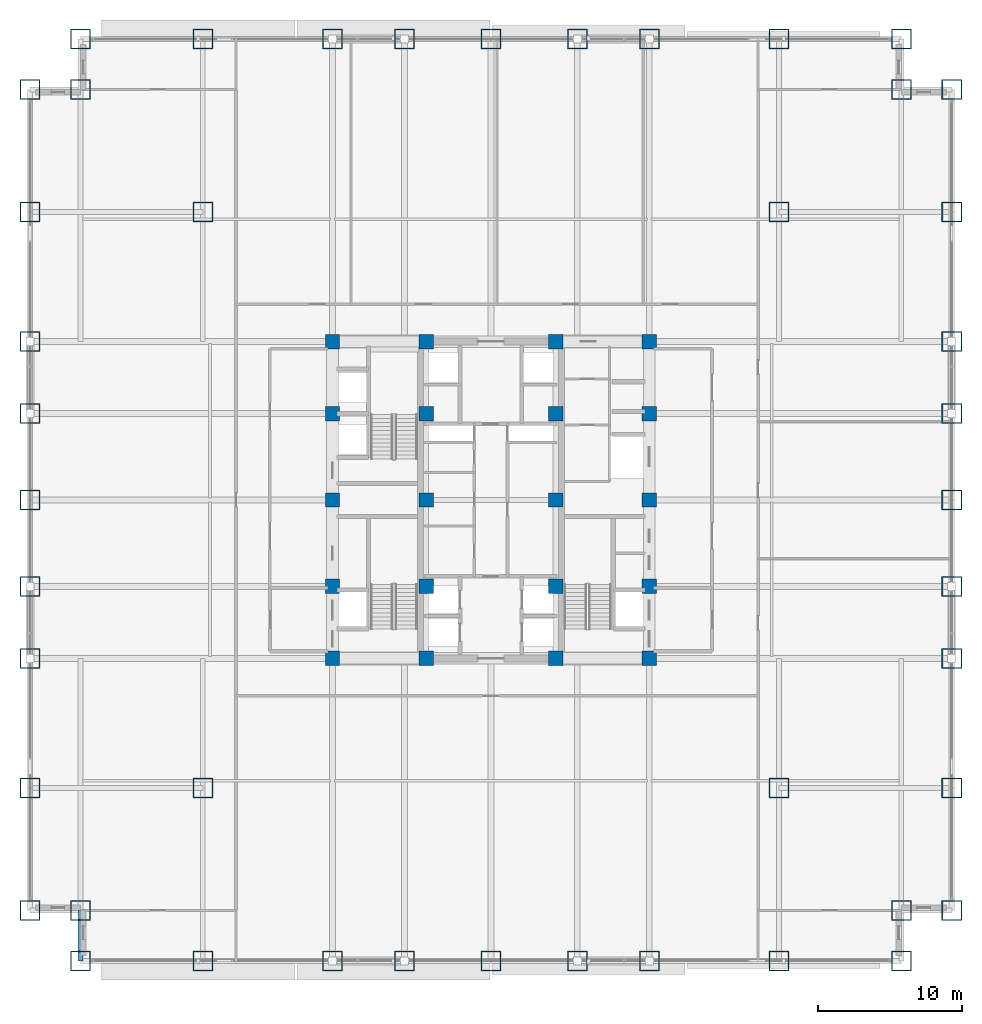
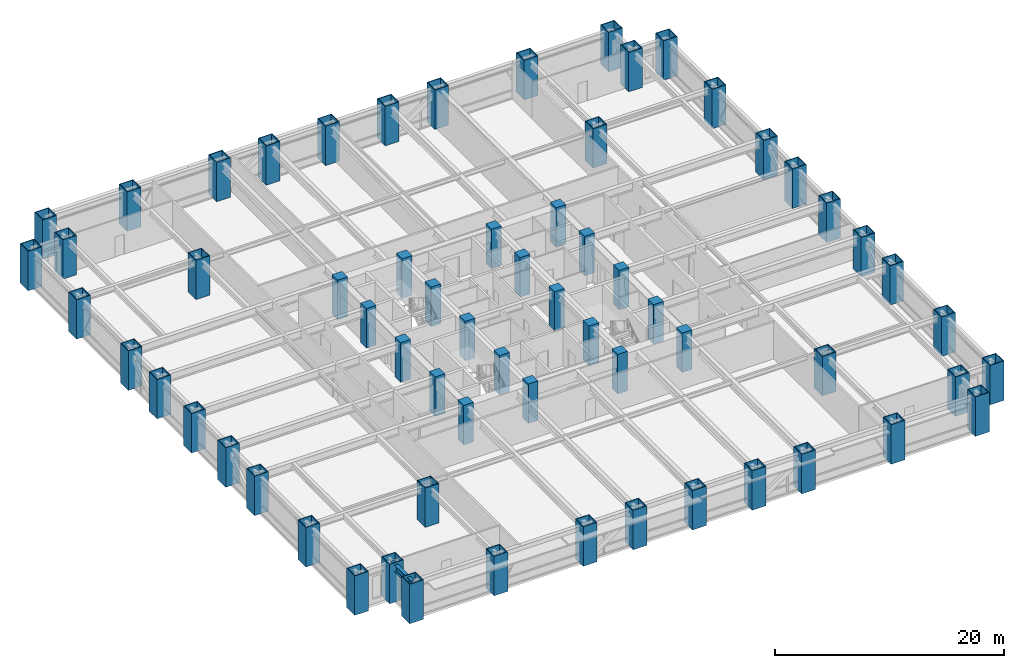
# One storey, part 1 of 31: 64 columns, 1 beam.
"""IFC4 building model written with IfcOpenShell, lengths in metres."""

import ifcopenshell
import ifcopenshell.guid

model = None  # the IFC model being written
_history = None  # IfcOwnerHistory: only IFC2X3 demands one
_inside = {}  # id of a spatial element -> (the spatial element, [elements in it])
_under = {}  # id of a project, library or spatial element -> (it, [spatial elements below it])
_declared = {}  # id of a project -> (the project, [libraries it declares])
_typed = {}  # id of a type object -> (the type object, [elements of that type])
_made_of = {}  # id of a material, layer set ... -> (it, [elements and type objects made of it])


def new_model(schema):
    """Start an empty IFC model of exactly this schema.

    Asked for "IFC4X3", IfcOpenShell would pick the latest addendum, in which some entities
    have other attributes; the version numbers below select the first issue.
    IFC2X3 requires an IfcOwnerHistory on every rooted entity: one is made here for all.
    """
    global model, _history
    if schema == "IFC4X3":
        model = ifcopenshell.file(schema_version=(4, 3, 0, 0))
    else:
        model = ifcopenshell.file(schema=schema)
    _inside.clear()
    _under.clear()
    _declared.clear()
    _typed.clear()
    _made_of.clear()
    _history = None
    if model.schema == "IFC2X3":
        org = make("IfcOrganization", Name="unknown")
        user = make(
            "IfcPersonAndOrganization",
            ThePerson=make("IfcPerson", FamilyName="unknown"),
            TheOrganization=org,
        )
        app = make(
            "IfcApplication",
            ApplicationDeveloper=org,
            Version="unknown",
            ApplicationFullName="unknown",
            ApplicationIdentifier="unknown",
        )
        _history = make(
            "IfcOwnerHistory",
            OwningUser=user,
            OwningApplication=app,
            ChangeAction="ADDED",
            CreationDate=0,
        )
    return model


def make(cls, **values):
    """One entity of the class cls with the attributes given. An attribute that is None is left unset."""
    return model.create_entity(
        cls, **{name: value for name, value in values.items() if value is not None}
    )


def rooted(cls, **values):
    """An entity with a GlobalId (a new one), such as an element, a storey or a relation."""
    return make(cls, GlobalId=ifcopenshell.guid.new(), OwnerHistory=_history, **values)


def si_unit(unit_type, name, prefix=None):
    """IfcSIUnit, for example si_unit("LENGTHUNIT", "METRE", prefix="MILLI")."""
    return make("IfcSIUnit", UnitType=unit_type, Prefix=prefix, Name=name)


def assignment(units):
    """IfcUnitAssignment: the units of a project."""
    return None if units is None else make("IfcUnitAssignment", Units=units)


def point(xyz):
    """IfcCartesianPoint."""
    return None if xyz is None else make("IfcCartesianPoint", Coordinates=xyz)


def direction(xyz):
    """IfcDirection."""
    return None if xyz is None else make("IfcDirection", DirectionRatios=xyz)


def frame(location, z_axis=None, x_axis=None):
    """IfcAxis2Placement3D, a coordinate frame: its origin and axes. An axis left out is left unset."""
    return make(
        "IfcAxis2Placement3D",
        Location=point(location),
        Axis=direction(z_axis),
        RefDirection=direction(x_axis),
    )


def frame_2d(location, x_axis=None):
    """IfcAxis2Placement2D, a coordinate frame in the plane: its origin and x axis."""
    return make(
        "IfcAxis2Placement2D", Location=point(location), RefDirection=direction(x_axis)
    )


def origin():
    """The frame at (0, 0, 0) with its axes left unset."""
    return frame((0.0, 0.0, 0.0))


def origin_2d():
    """The frame at (0, 0) in the plane with its x axis left unset."""
    return frame_2d((0.0, 0.0))


def place(relative_to, where):
    """IfcLocalPlacement: puts the frame where relative to a parent placement (None: the world)."""
    return make(
        "IfcLocalPlacement", PlacementRelTo=relative_to, RelativePlacement=where
    )


def context(
    kind, dimensions, precision=None, world=None, true_north=None, identifier=None
):
    """IfcGeometricRepresentationContext, for example the 3D "Model" context."""
    return make(
        "IfcGeometricRepresentationContext",
        ContextIdentifier=identifier,
        ContextType=kind,
        CoordinateSpaceDimension=dimensions,
        Precision=precision,
        WorldCoordinateSystem=world,
        TrueNorth=true_north,
    )


def subcontext(parent, identifier, kind, view, scale=None):
    """IfcGeometricRepresentationSubContext, for example "Body" below "Model"."""
    return make(
        "IfcGeometricRepresentationSubContext",
        ContextIdentifier=identifier,
        ContextType=kind,
        ParentContext=parent,
        TargetScale=scale,
        TargetView=view,
    )


def project(units=None, contexts=None):
    """IfcProject with its units and contexts."""
    return rooted(
        "IfcProject",
        Name="project",
        RepresentationContexts=contexts,
        UnitsInContext=assignment(units),
    )


def spatial(cls, under=None, at=None, **own):
    """A site, building, storey or space (cls), placed at a placement, below another one or the project."""
    s = rooted(cls, ObjectPlacement=at, **own)
    if under is not None:
        _under.setdefault(under.id(), (under, []))[1].append(s)
    return s


def profile(cls, at=None, kind="AREA", **sizes):
    """A parametric profile (cls). Its sizes go by their IFC names, for example OverallWidth=200.0."""
    return make(cls, ProfileType=kind, Position=at, **sizes)


def rectangle(**sizes):
    """IfcRectangleProfileDef."""
    return profile("IfcRectangleProfileDef", **sizes)


def hollow_rectangle(**sizes):
    """IfcRectangleHollowProfileDef."""
    return profile("IfcRectangleHollowProfileDef", **sizes)


def i_section(**sizes):
    """IfcIShapeProfileDef."""
    return profile("IfcIShapeProfileDef", **sizes)


def extrude(swept, where, along, depth):
    """IfcExtrudedAreaSolid: the profile swept, set in the frame where, extruded along a direction by depth."""
    return make(
        "IfcExtrudedAreaSolid",
        SweptArea=swept,
        Position=where,
        ExtrudedDirection=direction(along),
        Depth=depth,
    )


def shape(context_of_items, identifier, shape_type, items):
    """IfcShapeRepresentation: the items that make up one representation, for example the "Body"."""
    return make(
        "IfcShapeRepresentation",
        ContextOfItems=context_of_items,
        RepresentationIdentifier=identifier,
        RepresentationType=shape_type,
        Items=items,
    )


def source(mapping_origin, context_of_items, identifier, shape_type, items):
    """IfcRepresentationMap: a shape defined once, which mapped items show again and again."""
    return make(
        "IfcRepresentationMap",
        MappingOrigin=mapping_origin,
        MappedRepresentation=shape(context_of_items, identifier, shape_type, items),
    )


def transform(
    local_origin,
    x_axis=None,
    y_axis=None,
    z_axis=None,
    scale=None,
    scale2=None,
    scale3=None,
    uniform=True,
):
    """IfcCartesianTransformationOperator3D, or its non-uniform kind. x_axis, y_axis, z_axis: its Axis1, 2, 3."""
    if uniform:
        return make(
            "IfcCartesianTransformationOperator3D",
            Axis1=direction(x_axis),
            Axis2=direction(y_axis),
            LocalOrigin=point(local_origin),
            Scale=scale,
            Axis3=direction(z_axis),
        )
    return make(
        "IfcCartesianTransformationOperator3DnonUniform",
        Axis1=direction(x_axis),
        Axis2=direction(y_axis),
        LocalOrigin=point(local_origin),
        Scale=scale,
        Axis3=direction(z_axis),
        Scale2=scale2,
        Scale3=scale3,
    )


def mapped(mapping_source, mapping_target):
    """IfcMappedItem: shows the shape of a source again, moved by a transform."""
    return make(
        "IfcMappedItem", MappingSource=mapping_source, MappingTarget=mapping_target
    )


def material(Name=None, Category=None):
    """IfcMaterial."""
    return make("IfcMaterial", Name=Name, Category=Category)


def material_profile(
    of_material, cross_section, Name=None, Category=None, Priority=None
):
    """IfcMaterialProfile: a cross section and its material."""
    return make(
        "IfcMaterialProfile",
        Name=Name,
        Material=of_material,
        Profile=cross_section,
        Priority=Priority,
        Category=Category,
    )


def profile_set(profiles, Name=None, composite=None):
    """IfcMaterialProfileSet."""
    return make(
        "IfcMaterialProfileSet",
        Name=Name,
        MaterialProfiles=profiles,
        CompositeProfile=composite,
    )


def made_of(thing, what):
    """Note that an element or type object is made of a material, layer set ...; save() writes the relation."""
    if what is not None:
        _made_of.setdefault(what.id(), (what, []))[1].append(thing)
    return thing


def type_object(cls, material=None, **own):
    """A type object (cls), such as IfcWallType, which elements share."""
    return made_of(rooted(cls, **own), material)


def element(
    cls,
    number,
    at=None,
    inside=None,
    cuts=None,
    type_object=None,
    material=None,
    context=None,
    identifier="Body",
    shape_type=None,
    held_by="IfcProductDefinitionShape",
    body=None,
    shapes=None,
    **own,
):
    """One element of the class cls, such as IfcWall. Its Tag is "e" and its number.

    at: its placement. inside: the storey or other place that contains it. cuts: it is an
    opening in that element (IfcRelVoidsElement). A single representation is given by context,
    identifier, shape_type and body (its items); several are given by shapes. held_by: the class
    of the entity that holds the representations. save() writes the other relations.
    """
    e = rooted(cls, Tag="e%d" % number, ObjectPlacement=at, **own)
    if body is not None:
        shapes = [shape(context, identifier, shape_type, body)]
    if shapes is not None:
        e.Representation = make(held_by, Representations=shapes)
    if inside is not None:
        _inside.setdefault(inside.id(), (inside, []))[1].append(e)
    if cuts is not None:
        rooted(
            "IfcRelVoidsElement", RelatingBuildingElement=cuts, RelatedOpeningElement=e
        )
    if type_object is not None:
        _typed.setdefault(type_object.id(), (type_object, []))[1].append(e)
    return made_of(e, material)


def aggregate(whole, parts):
    """IfcRelAggregates: a whole, such as a stair, and the parts it consists of."""
    return rooted("IfcRelAggregates", RelatingObject=whole, RelatedObjects=parts)


def save(model, path):
    """Write the relations noted so far, then the file.

    IfcRelAggregates (storeys below a building ...), IfcRelContainedInSpatialStructure (elements
    in a storey), IfcRelDefinesByType, IfcRelAssociatesMaterial and IfcRelDeclares: one each for
    every whole, place, type object, material and project.
    """
    for whole, parts in _under.values():
        aggregate(whole, parts)
    for where, things in _inside.values():
        rooted(
            "IfcRelContainedInSpatialStructure",
            RelatedElements=things,
            RelatingStructure=where,
        )
    for kind, things in _typed.values():
        rooted("IfcRelDefinesByType", RelatedObjects=things, RelatingType=kind)
    for what, things in _made_of.values():
        rooted("IfcRelAssociatesMaterial", RelatedObjects=things, RelatingMaterial=what)
    for by, libraries in _declared.values():
        rooted("IfcRelDeclares", RelatingContext=by, RelatedDefinitions=libraries)
    model.write(path)


model = new_model("IFC4")

# Units and contexts
model_context = context("Model", 3, precision=1e-05, world=origin(), true_north=direction((0.0, 1.0)))
body_context = subcontext(model_context, "Body", "Model", "MODEL_VIEW")
ifc_project = project(units=[si_unit("LENGTHUNIT", "METRE"), si_unit("AREAUNIT", "SQUARE_METRE"), si_unit("VOLUMEUNIT", "CUBIC_METRE"), si_unit("PLANEANGLEUNIT", "RADIAN"), si_unit("MASSUNIT", "GRAM", prefix="KILO")], contexts=[model_context])

# Site, building, storey
site_placement = place(None, origin())
site = spatial("IfcSite", under=ifc_project, at=site_placement, CompositionType="ELEMENT")
building_placement = place(site_placement, origin())
building = spatial("IfcBuilding", under=site, at=building_placement, Name="Khorayat Bourse Tower", CompositionType="ELEMENT")
storey_placement = place(building_placement, frame((0.0, 0.0, 36.800048828125)))
storey = spatial("IfcBuildingStorey", under=building, at=storey_placement, Name="L07", CompositionType="ELEMENT", Elevation=36.800048828125)

# Columns
ifc_material_1 = material(Name="Steel EN 10025-4 S460M", Category="steel")
ifc_material_profile_1 = material_profile(ifc_material_1, hollow_rectangle(XDim=1.39990234375, YDim=1.39990234375, WallThickness=0.074951171875, at=origin_2d()), Name="BOX 1400x1400x75")
ifc_profile_set_1 = profile_set([ifc_material_profile_1], Name="Steel EN 10025-4 S460M")
column_type_1 = type_object("IfcColumnType", Name="COL-TUBE-1400", PredefinedType="COLUMN", material=ifc_profile_set_1)
shared_shape_1 = source(origin(), body_context, "Body", "SweptSolid", [
    extrude(hollow_rectangle(XDim=1.39990234375, YDim=1.39990234375, WallThickness=0.074951171875, at=origin_2d()), origin(), (0.0, 0.0, 1.0), 4.199951171875),
])
for number, where, z_axis, x_axis, name in (
    (1, (-32.0, -28.5, 0.0), (0.0, 0.0, 1.0), (1.0, 0.0, 0.0), "L07 Column 001"),
    (2, (-32.0, -20.0, 0.0), (0.0, 0.0, 1.0), (1.0, 0.0, 0.0), "L07 Column 002"),
    (3, (-32.0, -11.0, 0.0), (0.0, 0.0, 1.0), (1.0, 0.0, 0.0), "L07 Column 003"),
    (4, (-32.0, -6.0, 0.0), (0.0, 0.0, 1.0), (1.0, 0.0, 0.0), "L07 Column 004"),
    (5, (-32.0, 0.0, 0.0), (0.0, 0.0, 1.0), (1.0, 0.0, 0.0), "L07 Column 005"),
    (6, (-32.0, 6.0, 0.0), (0.0, 0.0, 1.0), (1.0, 0.0, 0.0), "L07 Column 006"),
    (7, (-32.0, 11.0, 0.0), (0.0, 0.0, 1.0), (1.0, 0.0, 0.0), "L07 Column 007"),
    (8, (-32.0, 20.0, 0.0), (0.0, 0.0, 1.0), (1.0, 0.0, 0.0), "L07 Column 008"),
    (9, (-32.0, 28.5, 0.0), (0.0, 0.0, 1.0), (1.0, 0.0, 0.0), "L07 Column 009"),
    (10, (-28.5, -32.0, 0.0), (0.0, 0.0, 1.0), (1.0, 0.0, 0.0), "L07 Column 010"),
    (11, (-28.5, -28.5, 0.0), (0.0, 0.0, 1.0), (1.0, 0.0, 0.0), "L07 Column 011"),
    (12, (-28.5, 28.5, 0.0), (0.0, 0.0, 1.0), (1.0, 0.0, 0.0), "L07 Column 012"),
    (13, (-28.5, 32.0, 0.0), (0.0, 0.0, 1.0), (1.0, 0.0, 0.0), "L07 Column 013"),
    (14, (-20.0, -32.0, 0.0), (0.0, 0.0, 1.0), (1.0, 0.0, 0.0), "L07 Column 014"),
    (15, (-20.0, -20.0, 0.0), (0.0, 0.0, 1.0), (1.0, 0.0, 0.0), "L07 Column 015"),
    (16, (-20.0, 20.0, 0.0), (0.0, 0.0, 1.0), (1.0, 0.0, 0.0), "L07 Column 016"),
    (17, (-20.0, 32.0, 0.0), (0.0, 0.0, 1.0), (1.0, 0.0, 0.0), "L07 Column 017"),
    (18, (-11.0, -32.0, 0.0), (0.0, 0.0, 1.0), (1.0, 0.0, 0.0), "L07 Column 018"),
    (19, (-11.0, 32.0, 0.0), (0.0, 0.0, 1.0), (1.0, 0.0, 0.0), "L07 Column 024"),
    (20, (-6.0, -32.0, 0.0), (0.0, 0.0, 1.0), (1.0, 0.0, 0.0), "L07 Column 025"),
    (21, (-6.0, 32.0, 0.0), (0.0, 0.0, 1.0), (1.0, 0.0, 0.0), "L07 Column 026"),
    (22, (0.0, -32.0, 0.0), (0.0, 0.0, 1.0), (1.0, 0.0, 0.0), "L07 Column 032"),
    (23, (0.0, 32.0, 0.0), (0.0, 0.0, 1.0), (1.0, 0.0, 0.0), "L07 Column 033"),
    (24, (6.0, -32.0, 0.0), (0.0, 0.0, 1.0), (1.0, 0.0, 0.0), "L07 Column 039"),
    (25, (6.0, 32.0, 0.0), (0.0, 0.0, 1.0), (1.0, 0.0, 0.0), "L07 Column 040"),
    (26, (11.0, -32.0, 0.0), (0.0, 0.0, 1.0), (1.0, 0.0, 0.0), "L07 Column 041"),
    (27, (11.0, 32.0, 0.0), (0.0, 0.0, 1.0), (1.0, 0.0, 0.0), "L07 Column 047"),
    (28, (20.0, -32.0, 0.0), (0.0, 0.0, 1.0), (1.0, 0.0, 0.0), "L07 Column 048"),
    (29, (20.0, -20.0, 0.0), (0.0, 0.0, 1.0), (1.0, 0.0, 0.0), "L07 Column 049"),
    (30, (20.0, 20.0, 0.0), (0.0, 0.0, 1.0), (1.0, 0.0, 0.0), "L07 Column 050"),
    (31, (20.0, 32.0, 0.0), (0.0, 0.0, 1.0), (1.0, 0.0, 0.0), "L07 Column 051"),
    (32, (28.5, -32.0, 0.0), (0.0, 0.0, 1.0), (1.0, 0.0, 0.0), "L07 Column 052"),
    (33, (28.5, -28.5, 0.0), (0.0, 0.0, 1.0), (1.0, 0.0, 0.0), "L07 Column 053"),
    (34, (28.5, 28.5, 0.0), (0.0, 0.0, 1.0), (1.0, 0.0, 0.0), "L07 Column 054"),
    (35, (28.5, 32.0, 0.0), (0.0, 0.0, 1.0), (1.0, 0.0, 0.0), "L07 Column 055"),
    (36, (32.0, -28.5, 0.0), (0.0, 0.0, 1.0), (1.0, 0.0, 0.0), "L07 Column 056"),
    (37, (32.0, -20.0, 0.0), (0.0, 0.0, 1.0), (1.0, 0.0, 0.0), "L07 Column 057"),
    (38, (32.0, -11.0, 0.0), (0.0, 0.0, 1.0), (1.0, 0.0, 0.0), "L07 Column 058"),
    (39, (32.0, -6.0, 0.0), (0.0, 0.0, 1.0), (1.0, 0.0, 0.0), "L07 Column 059"),
    (40, (32.0, 0.0, 0.0), (0.0, 0.0, 1.0), (1.0, 0.0, 0.0), "L07 Column 060"),
    (41, (32.0, 6.0, 0.0), (0.0, 0.0, 1.0), (1.0, 0.0, 0.0), "L07 Column 061"),
    (42, (32.0, 11.0, 0.0), (0.0, 0.0, 1.0), (1.0, 0.0, 0.0), "L07 Column 062"),
    (43, (32.0, 20.0, 0.0), (0.0, 0.0, 1.0), (1.0, 0.0, 0.0), "L07 Column 063"),
    (44, (32.0, 28.5, 0.0), (0.0, 0.0, 1.0), (1.0, 0.0, 0.0), "L07 Column 064"),
):
    element("IfcColumn", number, at=place(storey_placement, frame(where, z_axis=z_axis, x_axis=x_axis)), inside=storey, type_object=column_type_1, Name=name, PredefinedType="COLUMN", context=body_context, shape_type="MappedRepresentation", body=[
        mapped(shared_shape_1, transform((0.0, 0.0, 0.0), scale=1.0)),
    ])
ifc_material_2 = material(Name="Concrete C72/90", Category="concrete")
ifc_material_profile_2 = material_profile(ifc_material_2, rectangle(XDim=1.0, YDim=1.0, at=origin_2d()), Name="RC 1000x1000")
ifc_profile_set_2 = profile_set([ifc_material_profile_2], Name="Concrete C72/90")
column_type_2 = type_object("IfcColumnType", Name="COL-CORE-1000", PredefinedType="COLUMN", material=ifc_profile_set_2)
shared_shape_2 = source(origin(), body_context, "Body", "SweptSolid", [
    extrude(rectangle(XDim=1.0, YDim=1.0, at=origin_2d()), origin(), (0.0, 0.0, 1.0), 4.199951171875),
])
for number, where, z_axis, x_axis, name in (
    (45, (-11.0, -11.0, 0.0), (0.0, 0.0, 1.0), (1.0, 0.0, 0.0), "L07 Column 019"),
    (46, (-11.0, -6.0, 0.0), (0.0, 0.0, 1.0), (1.0, 0.0, 0.0), "L07 Column 020"),
    (47, (-11.0, 0.0, 0.0), (0.0, 0.0, 1.0), (1.0, 0.0, 0.0), "L07 Column 021"),
    (48, (-11.0, 6.0, 0.0), (0.0, 0.0, 1.0), (1.0, 0.0, 0.0), "L07 Column 022"),
    (49, (-11.0, 11.0, 0.0), (0.0, 0.0, 1.0), (1.0, 0.0, 0.0), "L07 Column 023"),
    (50, (-4.5, -11.0, 0.0), (0.0, 0.0, 1.0), (1.0, 0.0, 0.0), "L07 Column 027"),
    (51, (-4.5, -6.0, 0.0), (0.0, 0.0, 1.0), (1.0, 0.0, 0.0), "L07 Column 028"),
    (52, (-4.5, 0.0, 0.0), (0.0, 0.0, 1.0), (1.0, 0.0, 0.0), "L07 Column 029"),
    (53, (-4.5, 6.0, 0.0), (0.0, 0.0, 1.0), (1.0, 0.0, 0.0), "L07 Column 030"),
    (54, (-4.5, 11.0, 0.0), (0.0, 0.0, 1.0), (1.0, 0.0, 0.0), "L07 Column 031"),
    (55, (4.5, -11.0, 0.0), (0.0, 0.0, 1.0), (1.0, 0.0, 0.0), "L07 Column 034"),
    (56, (4.5, -6.0, 0.0), (0.0, 0.0, 1.0), (1.0, 0.0, 0.0), "L07 Column 035"),
    (57, (4.5, 0.0, 0.0), (0.0, 0.0, 1.0), (1.0, 0.0, 0.0), "L07 Column 036"),
    (58, (4.5, 6.0, 0.0), (0.0, 0.0, 1.0), (1.0, 0.0, 0.0), "L07 Column 037"),
    (59, (4.5, 11.0, 0.0), (0.0, 0.0, 1.0), (1.0, 0.0, 0.0), "L07 Column 038"),
    (60, (11.0, -11.0, 0.0), (0.0, 0.0, 1.0), (1.0, 0.0, 0.0), "L07 Column 042"),
    (61, (11.0, -6.0, 0.0), (0.0, 0.0, 1.0), (1.0, 0.0, 0.0), "L07 Column 043"),
    (62, (11.0, 0.0, 0.0), (0.0, 0.0, 1.0), (1.0, 0.0, 0.0), "L07 Column 044"),
    (63, (11.0, 6.0, 0.0), (0.0, 0.0, 1.0), (1.0, 0.0, 0.0), "L07 Column 045"),
    (64, (11.0, 11.0, 0.0), (0.0, 0.0, 1.0), (1.0, 0.0, 0.0), "L07 Column 046"),
):
    element("IfcColumn", number, at=place(storey_placement, frame(where, z_axis=z_axis, x_axis=x_axis)), inside=storey, type_object=column_type_2, Name=name, PredefinedType="COLUMN", context=body_context, shape_type="MappedRepresentation", body=[
        mapped(shared_shape_2, transform((0.0, 0.0, 0.0), scale=1.0)),
    ])

# Beam
ifc_material_3 = material(Name="Steel ASTM A992 Grade 50", Category="steel")
ifc_material_profile_3 = material_profile(ifc_material_3, i_section(OverallWidth=0.35498046875, OverallDepth=0.695068359375, WebThickness=0.015380859375, FlangeThickness=0.02490234375, FilletRadius=0.01806640625, at=origin_2d()), Name="W690X217")
ifc_profile_set_3 = profile_set([ifc_material_profile_3], Name="Steel ASTM A992 Grade 50")
beam_type = type_object("IfcBeamType", Name="BM-SPAN-690", PredefinedType="SPANDREL", material=ifc_profile_set_3)
shared_shape_3 = source(origin(), body_context, "Body", "SweptSolid", [
    extrude(i_section(OverallWidth=0.35498046875, OverallDepth=0.695068359375, WebThickness=0.015380859375, FlangeThickness=0.02490234375, FilletRadius=0.01806640625, at=origin_2d()), origin(), (0.0, 0.0, 1.0), 3.5),
])
beam_placement = place(storey_placement, frame((-28.5, -32.0, 3.592529296875), z_axis=(0.0, 1.0, 0.0), x_axis=(-1.0, 0.0, 0.0)))
element("IfcBeam", 65, at=beam_placement, inside=storey, type_object=beam_type, Name="L07 BM-SPAN-690 BM-L07-SPN-063", PredefinedType="SPANDREL", context=body_context, shape_type="MappedRepresentation", body=[
    mapped(shared_shape_3, transform((0.0, 0.0, 0.0), scale=1.0)),
])

save(model, "model.ifc")
